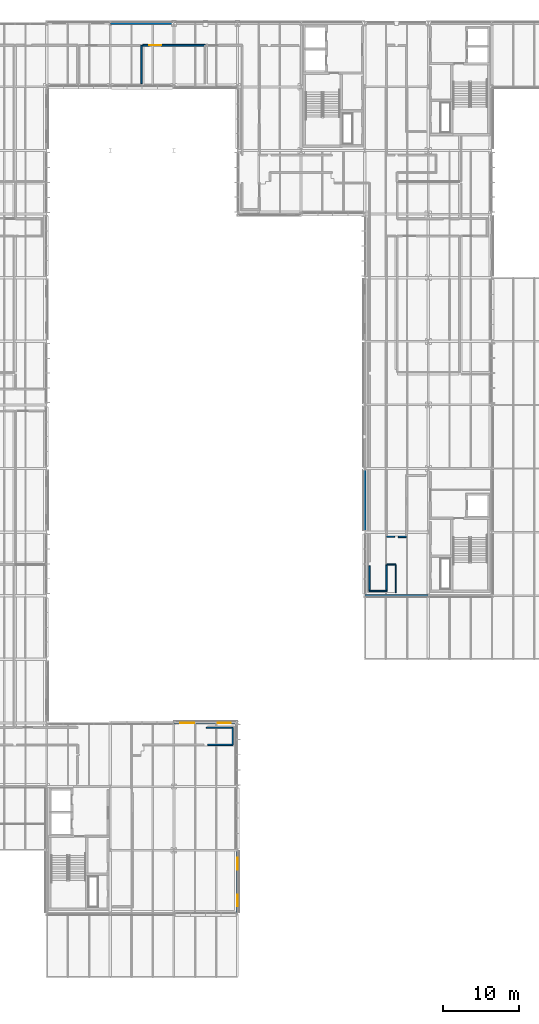
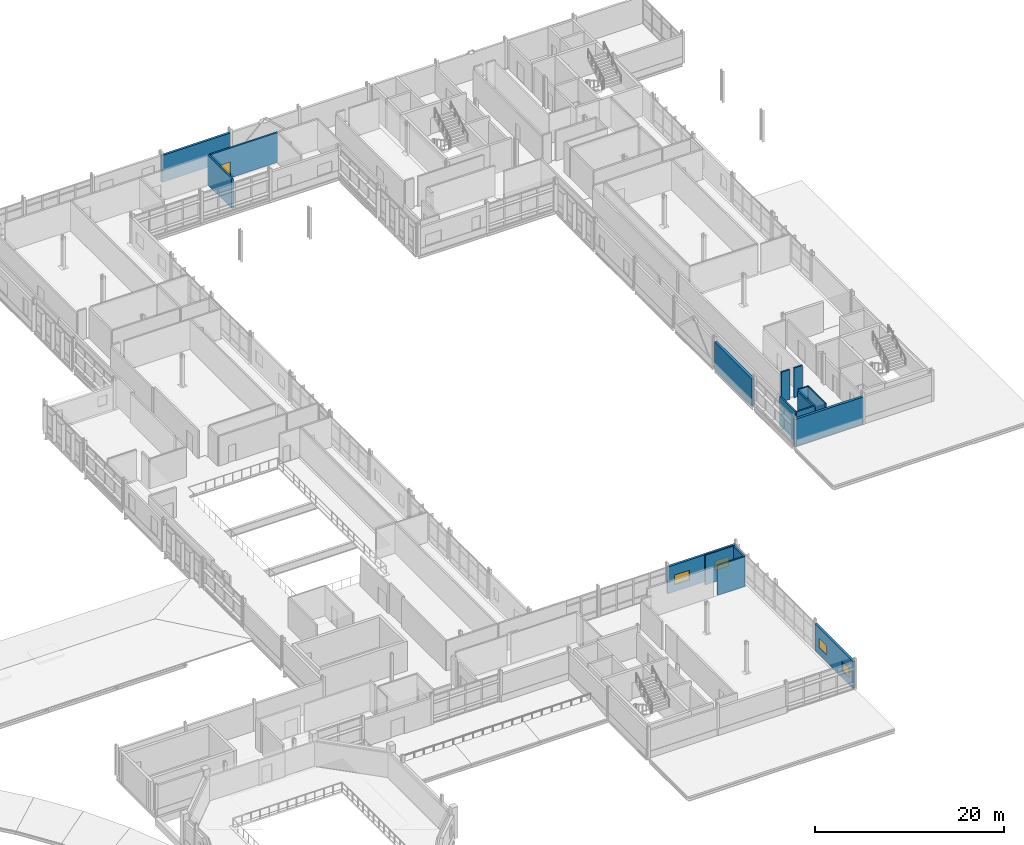
# One storey, part 128 of 151: 17 walls, 4 windows, 1 door, 5 openings.
"""IFC4 building model written with IfcOpenShell, lengths in metres."""

from ifc_helpers import new_model, si_unit, direction, frame, frame_2d, origin, place, context, subcontext, project, spatial, rectangle, extrude, material, layer, layer_set, type_object, element, fill, save


model = new_model("IFC4")

# Units and contexts
model_context = context("Model", 3, precision=1e-05, world=origin(), true_north=direction((0.0, 1.0)))
body_context = subcontext(model_context, "Body", "Model", "MODEL_VIEW")
ifc_project = project(units=[si_unit("LENGTHUNIT", "METRE"), si_unit("AREAUNIT", "SQUARE_METRE"), si_unit("VOLUMEUNIT", "CUBIC_METRE"), si_unit("PLANEANGLEUNIT", "RADIAN"), si_unit("MASSUNIT", "GRAM", prefix="KILO")], contexts=[model_context])

# Site, building, storey
site_placement = place(None, origin())
site = spatial("IfcSite", under=ifc_project, at=site_placement, CompositionType="ELEMENT")
building_placement = place(site_placement, origin())
building = spatial("IfcBuilding", under=site, at=building_placement, Name="Mersafa Astral City Hall", CompositionType="ELEMENT")
storey_placement = place(building_placement, frame((0.0, 0.0, 9.89990234375)))
storey = spatial("IfcBuildingStorey", under=building, at=storey_placement, Name="L02", CompositionType="ELEMENT", Elevation=9.89990234375)

# Wall
ifc_material_1 = material(Name="Precast concrete C40/50 insulated limestone wall", Category="masonry")
ifc_layer_1 = layer(ifc_material_1, 0.264892578125, Name="Precast concrete C40/50 insulated limestone wall")
ifc_layer_set_1 = layer_set([ifc_layer_1], Name="Precast concrete C40/50 insulated limestone wall — ENV-WAL-EXT-265")
wall_type_1 = type_object("IfcWallType", Name="ENV-WAL-EXT-265", PredefinedType="STANDARD", material=ifc_layer_set_1)
wall_1_placement = place(storey_placement, frame((134.39208984375, 126.0, 0.0), z_axis=(0.0, 0.0, 1.0), x_axis=(-1.0, 0.0, 0.0)))
element("IfcWall", 1, at=wall_1_placement, inside=storey, type_object=wall_type_1, Name="L02 Limestone-clad exterior wall 195", PredefinedType="STANDARD", context=body_context, shape_type="SweptSolid", body=[
    extrude(rectangle(XDim=8.384033203125, YDim=0.264892578125, at=frame_2d((4.19189453125, 0.0))), origin(), (0.0, 0.0, 1.0), 3.47216796875),
])

# Wall, openings, windows
ifc_layer_2 = layer(ifc_material_1, 0.280029296875, Name="Precast concrete C40/50 insulated limestone wall")
ifc_layer_set_2 = layer_set([ifc_layer_2], Name="Precast concrete C40/50 insulated limestone wall — ENV-WAL-EXT-280")
wall_type_2 = type_object("IfcWallType", Name="ENV-WAL-EXT-280", PredefinedType="STANDARD", material=ifc_layer_set_2)
wall_2_placement = place(storey_placement, frame((142.7919921875, 33.60009765625, 0.0), z_axis=(0.0, 0.0, 1.0), x_axis=(-1.0, 0.0, 0.0)))
wall_2 = element("IfcWall", 2, at=wall_2_placement, inside=storey, type_object=wall_type_2, Name="L02 Limestone-clad exterior wall 170", PredefinedType="STANDARD", context=body_context, shape_type="SweptSolid", body=[
    extrude(rectangle(XDim=8.384033203125, YDim=0.280029296875, at=frame_2d((4.19189453125, 0.0))), origin(), (0.0, 0.0, 1.0), 3.47216796875),
])
opening_1_placement = place(wall_2_placement, frame((0.85009765625, 0.0, 0.89990234375)))
opening_1 = element("IfcOpeningElement", 3, at=opening_1_placement, cuts=wall_2, Name="Opening W-18", PredefinedType="OPENING", context=body_context, shape_type="SweptSolid", body=[
    extrude(rectangle(XDim=1.719970703125, YDim=1.25, at=frame_2d((0.85986328125, 0.625))), frame((0.0, 0.14990234375, 0.0), z_axis=(0.0, -1.0, 0.0), x_axis=(1.0, 0.0, 0.0)), (0.0, 0.0, 1.0), 0.300048828125),
])
opening_2_placement = place(wall_2_placement, frame((5.714111328125, 0.0, 0.89990234375)))
opening_2 = element("IfcOpeningElement", 4, at=opening_2_placement, cuts=wall_2, Name="Opening W-19", PredefinedType="OPENING", context=body_context, shape_type="SweptSolid", body=[
    extrude(rectangle(XDim=1.820068359375, YDim=1.25, at=frame_2d((0.91015625, 0.625))), frame((0.0, 0.14990234375, 0.0), z_axis=(0.0, -1.0, 0.0), x_axis=(1.0, 0.0, 0.0)), (0.0, 0.0, 1.0), 0.300048828125),
])
ifc_material_2 = material(Name="Solar control low-e double glazing in bronze frame", Category="glass")
window_type_1 = type_object("IfcWindowType", Name="ENV-WIN-W-18", PartitioningType="SINGLE_PANEL", PredefinedType="WINDOW", material=ifc_material_2)
window_1_placement = place(opening_1_placement, origin())
window_1 = element("IfcWindow", 5, at=window_1_placement, inside=storey, type_object=window_type_1, Name="L02 Solar punched window 170-L", OverallHeight=1.25, OverallWidth=1.719970703125, PartitioningType="SINGLE_PANEL", PredefinedType="WINDOW", context=body_context, shape_type="SweptSolid", body=[
    extrude(rectangle(XDim=1.719970703125, YDim=1.25, at=frame_2d((0.85986328125, 0.625))), frame((0.0, 0.030029296875, 0.0), z_axis=(0.0, -1.0, 0.0), x_axis=(1.0, 0.0, 0.0)), (0.0, 0.0, 1.0), 0.06005859375),
])
fill(opening_1, window_1)
window_type_2 = type_object("IfcWindowType", Name="ENV-WIN-W-19", PartitioningType="SINGLE_PANEL", PredefinedType="WINDOW", material=ifc_material_2)
window_2_placement = place(opening_2_placement, origin())
window_2 = element("IfcWindow", 6, at=window_2_placement, inside=storey, type_object=window_type_2, Name="L02 Solar punched window 170-R", OverallHeight=1.25, OverallWidth=1.820068359375, PartitioningType="SINGLE_PANEL", PredefinedType="WINDOW", context=body_context, shape_type="SweptSolid", body=[
    extrude(rectangle(XDim=1.820068359375, YDim=1.25, at=frame_2d((0.91015625, 0.625))), frame((0.0, 0.030029296875, 0.0), z_axis=(0.0, -1.0, 0.0), x_axis=(1.0, 0.0, 0.0)), (0.0, 0.0, 1.0), 0.06005859375),
])
fill(opening_2, window_2)

ifc_layer_3 = layer(ifc_material_1, 0.294921875, Name="Precast concrete C40/50 insulated limestone wall")
ifc_layer_set_3 = layer_set([ifc_layer_3], Name="Precast concrete C40/50 insulated limestone wall — ENV-WAL-EXT-295")
wall_type_3 = type_object("IfcWallType", Name="ENV-WAL-EXT-295", PredefinedType="STANDARD", material=ifc_layer_set_3)
wall_3_placement = place(storey_placement, frame((142.800048828125, 8.5458984375, 0.0), z_axis=(0.0, 0.0, 1.0), x_axis=(0.0, 1.0, 0.0)))
wall_3 = element("IfcWall", 7, at=wall_3_placement, inside=storey, type_object=wall_type_3, Name="L02 Limestone-clad exterior wall 169", PredefinedType="STANDARD", context=body_context, shape_type="SweptSolid", body=[
    extrude(rectangle(XDim=8.108154296875, YDim=0.294921875, at=frame_2d((4.05419921875, 0.0))), origin(), (0.0, 0.0, 1.0), 3.47216796875),
])
opening_3_placement = place(wall_3_placement, frame((0.85009765625, 0.0, 0.89990234375)))
opening_3 = element("IfcOpeningElement", 8, at=opening_3_placement, cuts=wall_3, Name="Opening W-16", PredefinedType="OPENING", context=body_context, shape_type="SweptSolid", body=[
    extrude(rectangle(XDim=1.52001953125, YDim=1.25, at=frame_2d((0.760009765625, 0.625))), frame((0.0, 0.157470703125, 0.0), z_axis=(0.0, -1.0, 0.0), x_axis=(1.0, 0.0, 0.0)), (0.0, 0.0, 1.0), 0.31494140625),
])
opening_4_placement = place(wall_3_placement, frame((5.637939453125, 0.0, 0.89990234375)))
opening_4 = element("IfcOpeningElement", 9, at=opening_4_placement, cuts=wall_3, Name="Opening W-17", PredefinedType="OPENING", context=body_context, shape_type="SweptSolid", body=[
    extrude(rectangle(XDim=1.6201171875, YDim=1.25, at=frame_2d((0.81005859375, 0.625))), frame((0.0, 0.157470703125, 0.0), z_axis=(0.0, -1.0, 0.0), x_axis=(1.0, 0.0, 0.0)), (0.0, 0.0, 1.0), 0.31494140625),
])
window_type_3 = type_object("IfcWindowType", Name="ENV-WIN-W-16", PartitioningType="SINGLE_PANEL", PredefinedType="WINDOW", material=ifc_material_2)
window_3_placement = place(opening_3_placement, origin())
window_3 = element("IfcWindow", 10, at=window_3_placement, inside=storey, type_object=window_type_3, Name="L02 Solar punched window 169-L", OverallHeight=1.25, OverallWidth=1.52001953125, PartitioningType="SINGLE_PANEL", PredefinedType="WINDOW", context=body_context, shape_type="SweptSolid", body=[
    extrude(rectangle(XDim=1.52001953125, YDim=1.25, at=frame_2d((0.760009765625, 0.625))), frame((0.0, 0.030029296875, 0.0), z_axis=(0.0, -1.0, 0.0), x_axis=(1.0, 0.0, 0.0)), (0.0, 0.0, 1.0), 0.06005859375),
])
fill(opening_3, window_3)
window_type_4 = type_object("IfcWindowType", Name="ENV-WIN-W-17", PartitioningType="SINGLE_PANEL", PredefinedType="WINDOW", material=ifc_material_2)
window_4_placement = place(opening_4_placement, origin())
window_4 = element("IfcWindow", 11, at=window_4_placement, inside=storey, type_object=window_type_4, Name="L02 Solar punched window 169-R", OverallHeight=1.25, OverallWidth=1.6201171875, PartitioningType="SINGLE_PANEL", PredefinedType="WINDOW", context=body_context, shape_type="SweptSolid", body=[
    extrude(rectangle(XDim=1.6201171875, YDim=1.25, at=frame_2d((0.81005859375, 0.625))), frame((0.0, 0.030029296875, 0.0), z_axis=(0.0, -1.0, 0.0), x_axis=(1.0, 0.0, 0.0)), (0.0, 0.0, 1.0), 0.06005859375),
])
fill(opening_4, window_4)

# Walls
wall_4_placement = place(storey_placement, frame((159.60791015625, 50.39990234375, 0.0), z_axis=(0.0, 0.0, 1.0), x_axis=(1.0, 0.0, 0.0)))
element("IfcWall", 12, at=wall_4_placement, inside=storey, type_object=wall_type_3, Name="L02 Limestone-clad exterior wall 181", PredefinedType="STANDARD", context=body_context, shape_type="SweptSolid", body=[
    extrude(rectangle(XDim=8.384033203125, YDim=0.294921875, at=frame_2d((4.19189453125, 0.0))), origin(), (0.0, 0.0, 1.0), 3.502197265625),
])
ifc_layer_4 = layer(ifc_material_1, 0.31005859375, Name="Precast concrete C40/50 insulated limestone wall")
ifc_layer_set_4 = layer_set([ifc_layer_4], Name="Precast concrete C40/50 insulated limestone wall — ENV-WAL-EXT-310")
wall_type_4 = type_object("IfcWallType", Name="ENV-WAL-EXT-310", PredefinedType="STANDARD", material=ifc_layer_set_4)
wall_5_placement = place(storey_placement, frame((159.60009765625, 66.97900390625, 0.0), z_axis=(0.0, 0.0, 1.0), x_axis=(0.0, -1.0, 0.0)))
element("IfcWall", 13, at=wall_5_placement, inside=storey, type_object=wall_type_4, Name="L02 Limestone-clad exterior wall 180", PredefinedType="STANDARD", context=body_context, shape_type="SweptSolid", body=[
    extrude(rectangle(XDim=7.9580078125, YDim=0.31005859375, at=frame_2d((3.97900390625, 0.0))), origin(), (0.0, 0.0, 1.0), 3.47216796875),
])
ifc_material_3 = material(Name="Acoustic steel-stud gypsum partition", Category="steel")
ifc_layer_5 = layer(ifc_material_3, 0.14990234375, Name="Acoustic steel-stud gypsum partition")
ifc_layer_set_5 = layer_set([ifc_layer_5], Name="Acoustic steel-stud gypsum partition — INT-WAL-PART-EI30-150")
wall_type_5 = type_object("IfcWallType", Name="INT-WAL-PART-EI30-150", PredefinedType="STANDARD", material=ifc_layer_set_5)
wall_6_placement = place(storey_placement, frame((163.7099609375, 54.510009765625, -0.00390625), z_axis=(0.0, 0.0, 1.0), x_axis=(0.0, -1.0, 0.0)))
element("IfcWall", 14, at=wall_6_placement, inside=storey, type_object=wall_type_5, Name="L02 Interior partition wall 516", PredefinedType="STANDARD", context=body_context, shape_type="SweptSolid", body=[
    extrude(rectangle(XDim=3.68994140625, YDim=0.14990234375, at=frame_2d((1.844970703125, 0.0))), origin(), (0.0, 0.0, 1.0), 3.843994140625),
])
ifc_material_4 = material(Name="Fire-rated gypsum stud partition", Category="gypsum")
ifc_layer_6 = layer(ifc_material_4, 0.1650390625, Name="Fire-rated gypsum stud partition")
ifc_layer_set_6 = layer_set([ifc_layer_6], Name="Fire-rated gypsum stud partition — INT-WAL-PART-EI60-165")
wall_type_6 = type_object("IfcWallType", Name="INT-WAL-PART-EI60-165", PredefinedType="STANDARD", material=ifc_layer_set_6)
wall_7_placement = place(storey_placement, frame((163.5400390625, 58.179931640625, -0.00390625), z_axis=(0.0, 0.0, 1.0), x_axis=(-1.0, 0.0, 0.0)))
element("IfcWall", 15, at=wall_7_placement, inside=storey, type_object=wall_type_6, Name="L02 Interior partition wall 431", PredefinedType="STANDARD", context=body_context, shape_type="SweptSolid", body=[
    extrude(rectangle(XDim=1.0400390625, YDim=0.1650390625, at=frame_2d((0.52001953125, 0.0))), origin(), (0.0, 0.0, 1.0), 3.843994140625),
])
wall_8_placement = place(storey_placement, frame((162.5, 54.510009765625, -0.00390625), z_axis=(0.0, 0.0, 1.0), x_axis=(1.0, 0.0, 0.0)))
element("IfcWall", 16, at=wall_8_placement, inside=storey, type_object=wall_type_6, Name="L02 Interior partition wall 515", PredefinedType="STANDARD", context=body_context, shape_type="SweptSolid", body=[
    extrude(rectangle(XDim=1.2099609375, YDim=0.1650390625, at=frame_2d((0.60498046875, 0.0))), origin(), (0.0, 0.0, 1.0), 3.843994140625),
])
wall_9_placement = place(storey_placement, frame((142.179931640625, 32.97998046875, -0.00390625), z_axis=(0.0, 0.0, 1.0), x_axis=(-1.0, 0.0, 0.0)))
element("IfcWall", 17, at=wall_9_placement, inside=storey, type_object=wall_type_6, Name="L02 Interior partition wall 543", PredefinedType="STANDARD", context=body_context, shape_type="SweptSolid", body=[
    extrude(rectangle(XDim=3.489990234375, YDim=0.1650390625, at=frame_2d((1.7451171875, 0.0))), origin(), (0.0, 0.0, 1.0), 3.843994140625),
])
ifc_material_5 = material(Name="Acoustic twin-stud gypsum partition", Category="gypsum")
ifc_layer_7 = layer(ifc_material_5, 0.179931640625, Name="Acoustic twin-stud gypsum partition")
ifc_layer_set_7 = layer_set([ifc_layer_7], Name="Acoustic twin-stud gypsum partition — INT-WAL-PART-EI60-180")
wall_type_7 = type_object("IfcWallType", Name="INT-WAL-PART-EI60-180", PredefinedType="STANDARD", material=ifc_layer_set_7)
wall_10_placement = place(storey_placement, frame((165.10009765625, 58.179931640625, -0.00390625), z_axis=(0.0, 0.0, 1.0), x_axis=(-1.0, 0.0, 0.0)))
element("IfcWall", 18, at=wall_10_placement, inside=storey, type_object=wall_type_7, Name="L02 Interior partition wall 430", PredefinedType="STANDARD", context=body_context, shape_type="SweptSolid", body=[
    extrude(rectangle(XDim=1.0400390625, YDim=0.179931640625, at=frame_2d((0.52001953125, 0.0))), origin(), (0.0, 0.0, 1.0), 3.843994140625),
])
wall_11_placement = place(storey_placement, frame((162.5, 51.02001953125, -0.00390625), z_axis=(0.0, 0.0, 1.0), x_axis=(0.0, 1.0, 0.0)))
element("IfcWall", 19, at=wall_11_placement, inside=storey, type_object=wall_type_7, Name="L02 Interior partition wall 514", PredefinedType="STANDARD", context=body_context, shape_type="SweptSolid", body=[
    extrude(rectangle(XDim=3.489990234375, YDim=0.179931640625, at=frame_2d((1.7451171875, 0.0))), origin(), (0.0, 0.0, 1.0), 3.56591796875),
])
for number, where, z_axis, x_axis, name in (
    (20, (160.219970703125, 51.02001953125, -0.00390625), (0.0, 0.0, 1.0), (1.0, 0.0, 0.0), "L02 Interior partition wall 526"),
    (21, (142.179931640625, 30.699951171875, -0.00390625), (0.0, 0.0, 1.0), (0.0, 1.0, 0.0), "L02 Interior partition wall 542"),
):
    element("IfcWall", number, at=place(storey_placement, frame(where, z_axis=z_axis, x_axis=x_axis)), inside=storey, type_object=wall_type_7, Name=name, PredefinedType="STANDARD", context=body_context, shape_type="SweptSolid", body=[
        extrude(rectangle(XDim=2.280029296875, YDim=0.179931640625, at=frame_2d((1.14013671875, 0.0))), origin(), (0.0, 0.0, 1.0), 3.843994140625),
    ])
ifc_layer_8 = layer(ifc_material_5, 0.195068359375, Name="Acoustic twin-stud gypsum partition")
ifc_layer_set_8 = layer_set([ifc_layer_8], Name="Acoustic twin-stud gypsum partition — INT-WAL-PART-EI60-195")
wall_type_8 = type_object("IfcWallType", Name="INT-WAL-PART-EI60-195", PredefinedType="STANDARD", material=ifc_layer_set_8)
wall_12_placement = place(storey_placement, frame((130.110107421875, 123.10009765625, -0.00390625), z_axis=(0.0, 0.0, 1.0), x_axis=(0.0, -1.0, 0.0)))
element("IfcWall", 22, at=wall_12_placement, inside=storey, type_object=wall_type_8, Name="L02 Interior partition wall 489", PredefinedType="STANDARD", context=body_context, shape_type="SweptSolid", body=[
    extrude(rectangle(XDim=5.080078125, YDim=0.195068359375, at=frame_2d((2.5400390625, 0.0))), origin(), (0.0, 0.0, 1.0), 3.843994140625),
])
wall_13_placement = place(storey_placement, frame((160.219970703125, 54.340087890625, -0.00390625), z_axis=(0.0, 0.0, 1.0), x_axis=(0.0, -1.0, 0.0)))
element("IfcWall", 23, at=wall_13_placement, inside=storey, type_object=wall_type_8, Name="L02 Interior partition wall 525", PredefinedType="STANDARD", context=body_context, shape_type="SweptSolid", body=[
    extrude(rectangle(XDim=3.320068359375, YDim=0.195068359375, at=frame_2d((1.66015625, 0.0))), origin(), (0.0, 0.0, 1.0), 3.843994140625),
])
wall_14_placement = place(storey_placement, frame((138.860107421875, 30.699951171875, -0.00390625), z_axis=(0.0, 0.0, 1.0), x_axis=(1.0, 0.0, 0.0)))
element("IfcWall", 24, at=wall_14_placement, inside=storey, type_object=wall_type_8, Name="L02 Interior partition wall 541", PredefinedType="STANDARD", context=body_context, shape_type="SweptSolid", body=[
    extrude(rectangle(XDim=3.31982421875, YDim=0.195068359375, at=frame_2d((1.659912109375, 0.0))), origin(), (0.0, 0.0, 1.0), 3.843994140625),
])

# Wall, opening, door
ifc_material_6 = material(Name="Autoclaved aerated concrete blockwork plastered", Category="masonry")
ifc_layer_9 = layer(ifc_material_6, 0.2099609375, Name="Autoclaved aerated concrete blockwork plastered")
ifc_layer_set_9 = layer_set([ifc_layer_9], Name="Autoclaved aerated concrete blockwork plastered — INT-WAL-PART-EI60-210")
wall_type_9 = type_object("IfcWallType", Name="INT-WAL-PART-EI60-210", PredefinedType="STANDARD", material=ifc_layer_set_9)
wall_15_placement = place(storey_placement, frame((130.2900390625, 123.10009765625, -0.00390625), z_axis=(0.0, 0.0, 1.0), x_axis=(1.0, 0.0, 0.0)))
wall_15 = element("IfcWall", 25, at=wall_15_placement, inside=storey, type_object=wall_type_9, Name="L02 Interior partition wall 492", PredefinedType="STANDARD", context=body_context, shape_type="SweptSolid", body=[
    extrude(rectangle(XDim=8.219970703125, YDim=0.2099609375, at=frame_2d((4.10986328125, 0.0))), origin(), (0.0, 0.0, 1.0), 3.843994140625),
])
opening_5_placement = place(wall_15_placement, frame((0.8740234375, 0.0, 0.0)))
opening_5 = element("IfcOpeningElement", 26, at=opening_5_placement, cuts=wall_15, Name="Opening D-08", PredefinedType="OPENING", context=body_context, shape_type="SweptSolid", body=[
    extrude(rectangle(XDim=1.5400390625, YDim=2.06005859375, at=frame_2d((0.77001953125, 1.030029296875))), frame((0.0, 0.114990234375, 0.0), z_axis=(0.0, -1.0, 0.0), x_axis=(1.0, 0.0, 0.0)), (0.0, 0.0, 1.0), 0.22998046875),
])
ifc_material_7 = material(Name="Cedar veneered acoustic fire-rated timber door", Category="wood")
door_type = type_object("IfcDoorType", Name="INT-DR-RM-D-08", OperationType="NOTDEFINED", PredefinedType="DOOR", material=ifc_material_7)
door_placement = place(opening_5_placement, origin())
door = element("IfcDoor", 27, at=door_placement, inside=storey, type_object=door_type, Name="L02 Hearing Room L02-22 Entrance Door", OperationType="SINGLE_SWING_RIGHT", OverallHeight=2.06005859375, OverallWidth=1.5400390625, PredefinedType="DOOR", context=body_context, shape_type="SweptSolid", body=[
    extrude(rectangle(XDim=1.5400390625, YDim=2.06005859375, at=frame_2d((0.77001953125, 1.030029296875))), frame((0.0, 0.02490234375, 0.0), z_axis=(0.0, -1.0, 0.0), x_axis=(1.0, 0.0, 0.0)), (0.0, 0.0, 1.0), 0.050048828125),
])
fill(opening_5, door)

save(model, "model.ifc")
